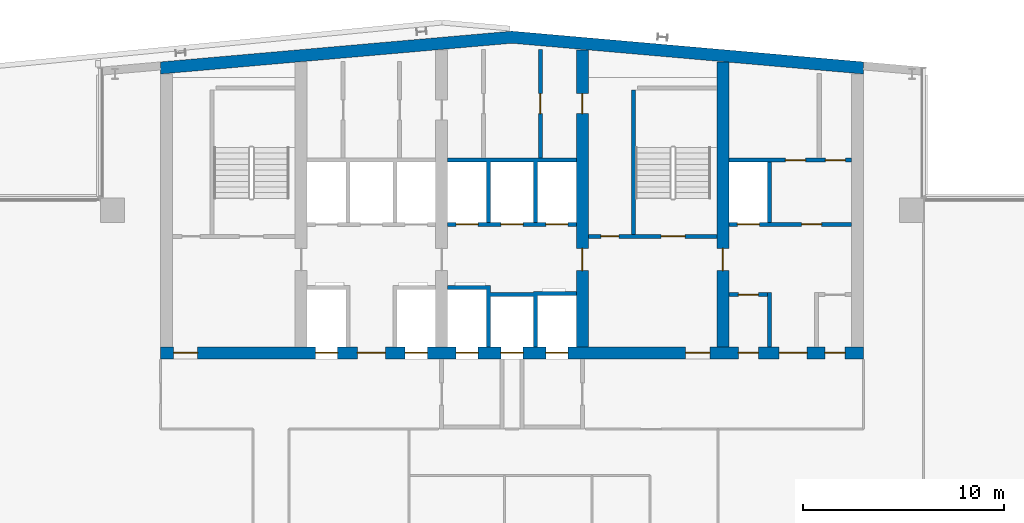
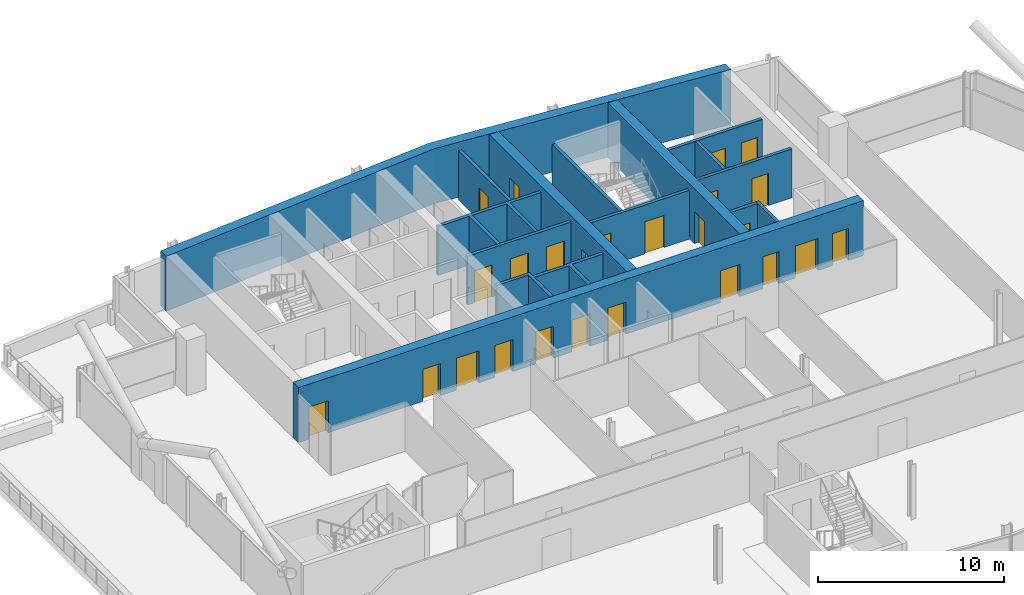
# One storey, part 17 of 27: 25 doors, 15 walls, 25 openings.
"""IFC4 building model written with IfcOpenShell, lengths in metres."""

from ifc_helpers import new_model, si_unit, direction, frame, frame_2d, origin, place, context, subcontext, project, spatial, polyline, rectangle, outline, extrude, material, layer, layer_set, type_object, element, fill, save


model = new_model("IFC4")

# Units and contexts
model_context = context("Model", 3, precision=1e-05, world=origin(), true_north=direction((0.0, 1.0)))
body_context = subcontext(model_context, "Body", "Model", "MODEL_VIEW")
ifc_project = project(units=[si_unit("LENGTHUNIT", "METRE"), si_unit("AREAUNIT", "SQUARE_METRE"), si_unit("VOLUMEUNIT", "CUBIC_METRE"), si_unit("PLANEANGLEUNIT", "RADIAN"), si_unit("MASSUNIT", "GRAM", prefix="KILO")], contexts=[model_context])

# Site, building, storey
site_placement = place(None, origin())
site = spatial("IfcSite", under=ifc_project, at=site_placement, CompositionType="ELEMENT")
building_placement = place(site_placement, origin())
building = spatial("IfcBuilding", under=site, at=building_placement, Name="Wharfspan Tower", CompositionType="ELEMENT")
storey_placement = place(building_placement, frame((0.0, 0.0, 207.100098)))
storey = spatial("IfcBuildingStorey", under=building, at=storey_placement, Name="L51", CompositionType="ELEMENT", Elevation=207.100098)

# Wall, opening, door
ifc_material_1 = material(Name="Calcium silicate masonry", Category="masonry")
ifc_layer_1 = layer(ifc_material_1, 0.199951)
ifc_layer_set_1 = layer_set([ifc_layer_1], Name="Calcium silicate masonry")
wall_type_1 = type_object("IfcWallType", Name="Core room wall 200", PredefinedType="PARTITIONING", material=ifc_layer_set_1)
wall_1_placement = place(storey_placement, frame((41.907959, 44.0, 0.0), z_axis=(0.0, 0.0, 1.0), x_axis=(0.0, 1.0, 0.0)))
wall_1 = element("IfcWall", 1, at=wall_1_placement, inside=storey, type_object=wall_type_1, Name="sw:L51:RP4.2", PredefinedType="PARTITIONING", context=body_context, shape_type="SweptSolid", body=[
    extrude(rectangle(XDim=5.41626, YDim=0.199951, at=frame_2d((2.708008, 0.0))), origin(), (0.0, 0.0, 1.0), 3.199951),
])
opening_1_placement = place(wall_1_placement, frame((2.208008, 0.0, 0.0)))
opening_1 = element("IfcOpeningElement", 2, at=opening_1_placement, cuts=wall_1, Name="Opening CD51.4P2", PredefinedType="OPENING", context=body_context, shape_type="SweptSolid", body=[
    extrude(rectangle(XDim=1.0, YDim=2.100098, at=frame_2d((0.5, 1.050049))), frame((0.0, 0.109863, 0.0), z_axis=(0.0, -1.0, 0.0), x_axis=(1.0, 0.0, 0.0)), (0.0, 0.0, 1.0), 0.219971),
])
ifc_material_2 = material(Name="Steel door leaf", Category="steel")
door_type_1 = type_object("IfcDoorType", Name="Core room door 1000x2100", OperationType="SINGLE_SWING_LEFT", PredefinedType="DOOR", material=ifc_material_2)
door_1_placement = place(opening_1_placement, origin())
door_1 = element("IfcDoor", 3, at=door_1_placement, inside=storey, type_object=door_type_1, Name="d:L51:4:rp2", OperationType="SINGLE_SWING_LEFT", OverallHeight=2.100098, OverallWidth=1.0, PredefinedType="DOOR", context=body_context, shape_type="SweptSolid", body=[
    extrude(rectangle(XDim=1.0, YDim=2.100098, at=frame_2d((0.5, 1.050049))), frame((0.0, 0.024902, 0.0), z_axis=(0.0, -1.0, 0.0), x_axis=(1.0, 0.0, 0.0)), (0.0, 0.0, 1.0), 0.050049),
])
fill(opening_1, door_1)

wall_2_placement = place(storey_placement, frame((51.300049, 37.199951, 0.0), z_axis=(0.0, 0.0, 1.0), x_axis=(1.0, 0.0, 0.0)))
wall_2 = element("IfcWall", 4, at=wall_2_placement, inside=storey, type_object=wall_type_1, Name="sw:L51:FR6.1", PredefinedType="PARTITIONING", context=body_context, shape_type="SweptSolid", body=[
    extrude(rectangle(XDim=1.93335, YDim=0.199951, at=frame_2d((0.966797, 0.0))), origin(), (0.0, 0.0, 1.0), 3.199951),
])
opening_2_placement = place(wall_2_placement, frame((0.466797, 0.0, 0.0)))
opening_2 = element("IfcOpeningElement", 5, at=opening_2_placement, cuts=wall_2, Name="Opening CD51.6H1", PredefinedType="OPENING", context=body_context, shape_type="SweptSolid", body=[
    extrude(rectangle(XDim=1.0, YDim=2.100098, at=frame_2d((0.5, 1.050049))), frame((0.0, 0.109863, 0.0), z_axis=(0.0, -1.0, 0.0), x_axis=(1.0, 0.0, 0.0)), (0.0, 0.0, 1.0), 0.219971),
])
door_2_placement = place(opening_2_placement, origin())
door_2 = element("IfcDoor", 6, at=door_2_placement, inside=storey, type_object=door_type_1, Name="d:L51:6:fh6.1", OperationType="SINGLE_SWING_RIGHT", OverallHeight=2.100098, OverallWidth=1.0, PredefinedType="DOOR", context=body_context, shape_type="SweptSolid", body=[
    extrude(rectangle(XDim=1.0, YDim=2.100098, at=frame_2d((0.5, 1.050049))), frame((0.0, 0.024902, 0.0), z_axis=(0.0, -1.0, 0.0), x_axis=(1.0, 0.0, 0.0)), (0.0, 0.0, 1.0), 0.050049),
])
fill(opening_2, door_2)

# Wall
ifc_material_3 = material(Name="Concrete C50/60", Category="concrete")
ifc_layer_2 = layer(ifc_material_3, 0.600098)
ifc_layer_set_2 = layer_set([ifc_layer_2], Name="Concrete C50/60")
wall_type_2 = type_object("IfcWallType", Name="Core wall 600 C50/60", PredefinedType="SHEAR", material=ifc_layer_set_2)
wall_3_placement = place(storey_placement, frame((0.0, 0.0, -0.000244)))
element("IfcWall", 7, at=wall_3_placement, inside=storey, type_object=wall_type_2, Name="Core rear wall L51", PredefinedType="SHEAR", context=body_context, shape_type="SweptSolid", body=[
    extrude(outline(polyline([(23.0, 48.185059), (40.5, 49.716064), (58.0, 48.185059), (58.0, 48.787354), (40.5, 50.318359), (23.0, 48.787354), (23.0, 48.185059)])), origin(), (0.0, 0.0, 1.0), 3.600098),
])

# Wall, openings, doors
wall_4_placement = place(storey_placement, frame((23.0, 34.300049, 0.0), z_axis=(0.0, 0.0, 1.0), x_axis=(1.0, 0.0, 0.0)))
wall_4 = element("IfcWall", 8, at=wall_4_placement, inside=storey, type_object=wall_type_2, Name="Core front wall L51", PredefinedType="SHEAR", context=body_context, shape_type="SweptSolid", body=[
    extrude(rectangle(XDim=35.0, YDim=0.600098, at=frame_2d((17.5, 0.0))), origin(), (0.0, 0.0, 1.0), 3.599854),
])
opening_3_placement = place(wall_4_placement, frame((0.649902, 0.0, 0.0)))
opening_3 = element("IfcOpeningElement", 9, at=opening_3_placement, cuts=wall_4, Name="Opening SV2.L51", PredefinedType="OPENING", context=body_context, shape_type="SweptSolid", body=[
    extrude(rectangle(XDim=1.199951, YDim=2.100098, at=frame_2d((0.600098, 1.050049))), frame((0.0, 0.310059, 0.0), z_axis=(0.0, -1.0, 0.0), x_axis=(1.0, 0.0, 0.0)), (0.0, 0.0, 1.0), 0.620117),
])
opening_4_placement = place(wall_4_placement, frame((7.716797, 0.0, 0.0)))
opening_4 = element("IfcOpeningElement", 10, at=opening_4_placement, cuts=wall_4, Name="Opening LD.SL1.L51", PredefinedType="OPENING", context=body_context, shape_type="SweptSolid", body=[
    extrude(rectangle(XDim=1.100098, YDim=2.100098, at=frame_2d((0.550049, 1.050049))), frame((0.0, 0.310059, 0.0), z_axis=(0.0, -1.0, 0.0), x_axis=(1.0, 0.0, 0.0)), (0.0, 0.0, 1.0), 0.620117),
])
opening_5_placement = place(wall_4_placement, frame((12.18335, 0.0, 0.0)))
opening_5 = element("IfcOpeningElement", 11, at=opening_5_placement, cuts=wall_4, Name="Opening LD.SL2.L51", PredefinedType="OPENING", context=body_context, shape_type="SweptSolid", body=[
    extrude(rectangle(XDim=1.100098, YDim=2.100098, at=frame_2d((0.550049, 1.050049))), frame((0.0, 0.310059, 0.0), z_axis=(0.0, -1.0, 0.0), x_axis=(1.0, 0.0, 0.0)), (0.0, 0.0, 1.0), 0.620117),
])
opening_6_placement = place(wall_4_placement, frame((9.800049, 0.0, 0.0)))
opening_6 = element("IfcOpeningElement", 12, at=opening_6_placement, cuts=wall_4, Name="Opening HD51.3", PredefinedType="OPENING", context=body_context, shape_type="SweptSolid", body=[
    extrude(rectangle(XDim=1.399902, YDim=2.100098, at=frame_2d((0.699951, 1.050049))), frame((0.0, 0.310059, 0.0), z_axis=(0.0, -1.0, 0.0), x_axis=(1.0, 0.0, 0.0)), (0.0, 0.0, 1.0), 0.620117),
])
opening_7_placement = place(wall_4_placement, frame((14.716797, 0.0, 0.0)))
opening_7 = element("IfcOpeningElement", 13, at=opening_7_placement, cuts=wall_4, Name="Opening LD.FF1.L51", PredefinedType="OPENING", context=body_context, shape_type="SweptSolid", body=[
    extrude(rectangle(XDim=1.100098, YDim=2.100098, at=frame_2d((0.550049, 1.050049))), frame((0.0, 0.310059, 0.0), z_axis=(0.0, -1.0, 0.0), x_axis=(1.0, 0.0, 0.0)), (0.0, 0.0, 1.0), 0.620117),
])
opening_8_placement = place(wall_4_placement, frame((16.949951, 0.0, 0.0)))
opening_8 = element("IfcOpeningElement", 14, at=opening_8_placement, cuts=wall_4, Name="Opening LD.LB7.L51", PredefinedType="OPENING", context=body_context, shape_type="SweptSolid", body=[
    extrude(rectangle(XDim=1.100098, YDim=2.100098, at=frame_2d((0.550049, 1.050049))), frame((0.0, 0.310059, 0.0), z_axis=(0.0, -1.0, 0.0), x_axis=(1.0, 0.0, 0.0)), (0.0, 0.0, 1.0), 0.620117),
])
opening_9_placement = place(wall_4_placement, frame((19.18335, 0.0, 0.0)))
opening_9 = element("IfcOpeningElement", 15, at=opening_9_placement, cuts=wall_4, Name="Opening LD.FF2.L51", PredefinedType="OPENING", context=body_context, shape_type="SweptSolid", body=[
    extrude(rectangle(XDim=1.100098, YDim=2.100098, at=frame_2d((0.550049, 1.050049))), frame((0.0, 0.310059, 0.0), z_axis=(0.0, -1.0, 0.0), x_axis=(1.0, 0.0, 0.0)), (0.0, 0.0, 1.0), 0.620117),
])
opening_10_placement = place(wall_4_placement, frame((26.149902, 0.0, 0.0)))
opening_10 = element("IfcOpeningElement", 16, at=opening_10_placement, cuts=wall_4, Name="Opening SV5.L51", PredefinedType="OPENING", context=body_context, shape_type="SweptSolid", body=[
    extrude(rectangle(XDim=1.199951, YDim=2.100098, at=frame_2d((0.600098, 1.050049))), frame((0.0, 0.310059, 0.0), z_axis=(0.0, -1.0, 0.0), x_axis=(1.0, 0.0, 0.0)), (0.0, 0.0, 1.0), 0.620117),
])
opening_11_placement = place(wall_4_placement, frame((28.766602, 0.0, 0.0)))
opening_11 = element("IfcOpeningElement", 17, at=opening_11_placement, cuts=wall_4, Name="Opening CD51.6F1", PredefinedType="OPENING", context=body_context, shape_type="SweptSolid", body=[
    extrude(rectangle(XDim=1.0, YDim=2.100098, at=frame_2d((0.5, 1.050049))), frame((0.0, 0.310059, 0.0), z_axis=(0.0, -1.0, 0.0), x_axis=(1.0, 0.0, 0.0)), (0.0, 0.0, 1.0), 0.620117),
])
opening_12_placement = place(wall_4_placement, frame((33.083252, 0.0, 0.0)))
opening_12 = element("IfcOpeningElement", 18, at=opening_12_placement, cuts=wall_4, Name="Opening CD51.6F3", PredefinedType="OPENING", context=body_context, shape_type="SweptSolid", body=[
    extrude(rectangle(XDim=1.0, YDim=2.100098, at=frame_2d((0.5, 1.050049))), frame((0.0, 0.310059, 0.0), z_axis=(0.0, -1.0, 0.0), x_axis=(1.0, 0.0, 0.0)), (0.0, 0.0, 1.0), 0.620117),
])
opening_13_placement = place(wall_4_placement, frame((30.800049, 0.0, 0.0)))
opening_13 = element("IfcOpeningElement", 19, at=opening_13_placement, cuts=wall_4, Name="Opening HD51.6", PredefinedType="OPENING", context=body_context, shape_type="SweptSolid", body=[
    extrude(rectangle(XDim=1.399902, YDim=2.100098, at=frame_2d((0.699951, 1.050049))), frame((0.0, 0.310059, 0.0), z_axis=(0.0, -1.0, 0.0), x_axis=(1.0, 0.0, 0.0)), (0.0, 0.0, 1.0), 0.620117),
])
door_3_placement = place(opening_11_placement, origin())
door_3 = element("IfcDoor", 20, at=door_3_placement, inside=storey, type_object=door_type_1, Name="d:L51:6:fd6.1", OperationType="SINGLE_SWING_LEFT", OverallHeight=2.100098, OverallWidth=1.0, PredefinedType="DOOR", context=body_context, shape_type="SweptSolid", body=[
    extrude(rectangle(XDim=1.0, YDim=2.100098, at=frame_2d((0.5, 1.050049))), frame((0.0, 0.024902, 0.0), z_axis=(0.0, -1.0, 0.0), x_axis=(1.0, 0.0, 0.0)), (0.0, 0.0, 1.0), 0.050049),
])
fill(opening_11, door_3)
door_4_placement = place(opening_12_placement, origin())
door_4 = element("IfcDoor", 21, at=door_4_placement, inside=storey, type_object=door_type_1, Name="d:L51:6:fd6.3", OperationType="SINGLE_SWING_LEFT", OverallHeight=2.100098, OverallWidth=1.0, PredefinedType="DOOR", context=body_context, shape_type="SweptSolid", body=[
    extrude(rectangle(XDim=1.0, YDim=2.100098, at=frame_2d((0.5, 1.050049))), frame((0.0, 0.024902, 0.0), z_axis=(0.0, -1.0, 0.0), x_axis=(1.0, 0.0, 0.0)), (0.0, 0.0, 1.0), 0.050049),
])
fill(opening_12, door_4)
door_type_2 = type_object("IfcDoorType", Name="Hall entry door 1400x2100", OperationType="DOUBLE_DOOR_SINGLE_SWING", PredefinedType="DOOR", material=ifc_material_2)
door_5_placement = place(opening_6_placement, origin())
door_5 = element("IfcDoor", 22, at=door_5_placement, inside=storey, type_object=door_type_2, Name="d:L51:3:hd3", OperationType="DOUBLE_DOOR_SINGLE_SWING", OverallHeight=2.100098, OverallWidth=1.399902, PredefinedType="DOOR", context=body_context, shape_type="SweptSolid", body=[
    extrude(rectangle(XDim=1.399902, YDim=2.100098, at=frame_2d((0.699951, 1.050049))), frame((0.0, 0.024902, 0.0), z_axis=(0.0, -1.0, 0.0), x_axis=(1.0, 0.0, 0.0)), (0.0, 0.0, 1.0), 0.050049),
])
fill(opening_6, door_5)
door_6_placement = place(opening_13_placement, origin())
door_6 = element("IfcDoor", 23, at=door_6_placement, inside=storey, type_object=door_type_2, Name="d:L51:6:hd6", OperationType="DOUBLE_DOOR_SINGLE_SWING", OverallHeight=2.100098, OverallWidth=1.399902, PredefinedType="DOOR", context=body_context, shape_type="SweptSolid", body=[
    extrude(rectangle(XDim=1.399902, YDim=2.100098, at=frame_2d((0.699951, 1.050049))), frame((0.0, 0.024902, 0.0), z_axis=(0.0, -1.0, 0.0), x_axis=(1.0, 0.0, 0.0)), (0.0, 0.0, 1.0), 0.050049),
])
fill(opening_13, door_6)
ifc_material_4 = material(Name="Stainless steel", Category="steel")
door_type_3 = type_object("IfcDoorType", Name="Lift landing door 1100x2100", OperationType="DOUBLE_DOOR_SLIDING", PredefinedType="DOOR", material=ifc_material_4)
door_7_placement = place(opening_4_placement, origin())
door_7 = element("IfcDoor", 24, at=door_7_placement, inside=storey, type_object=door_type_3, Name="Landing door SL1 L51", OperationType="DOUBLE_DOOR_SLIDING", OverallHeight=2.100098, OverallWidth=1.100098, PredefinedType="DOOR", context=body_context, shape_type="SweptSolid", body=[
    extrude(rectangle(XDim=1.100098, YDim=2.100098, at=frame_2d((0.550049, 1.050049))), frame((0.0, 0.024902, 0.0), z_axis=(0.0, -1.0, 0.0), x_axis=(1.0, 0.0, 0.0)), (0.0, 0.0, 1.0), 0.050049),
])
fill(opening_4, door_7)
door_8_placement = place(opening_5_placement, origin())
door_8 = element("IfcDoor", 25, at=door_8_placement, inside=storey, type_object=door_type_3, Name="Landing door SL2 L51", OperationType="DOUBLE_DOOR_SLIDING", OverallHeight=2.100098, OverallWidth=1.100098, PredefinedType="DOOR", context=body_context, shape_type="SweptSolid", body=[
    extrude(rectangle(XDim=1.100098, YDim=2.100098, at=frame_2d((0.550049, 1.050049))), frame((0.0, 0.024902, 0.0), z_axis=(0.0, -1.0, 0.0), x_axis=(1.0, 0.0, 0.0)), (0.0, 0.0, 1.0), 0.050049),
])
fill(opening_5, door_8)
door_9_placement = place(opening_7_placement, origin())
door_9 = element("IfcDoor", 26, at=door_9_placement, inside=storey, type_object=door_type_3, Name="Landing door FF1 L51", OperationType="DOUBLE_DOOR_SLIDING", OverallHeight=2.100098, OverallWidth=1.100098, PredefinedType="DOOR", context=body_context, shape_type="SweptSolid", body=[
    extrude(rectangle(XDim=1.100098, YDim=2.100098, at=frame_2d((0.550049, 1.050049))), frame((0.0, 0.024902, 0.0), z_axis=(0.0, -1.0, 0.0), x_axis=(1.0, 0.0, 0.0)), (0.0, 0.0, 1.0), 0.050049),
])
fill(opening_7, door_9)
door_10_placement = place(opening_8_placement, origin())
door_10 = element("IfcDoor", 27, at=door_10_placement, inside=storey, type_object=door_type_3, Name="Landing door LB7 L51", OperationType="DOUBLE_DOOR_SLIDING", OverallHeight=2.100098, OverallWidth=1.100098, PredefinedType="DOOR", context=body_context, shape_type="SweptSolid", body=[
    extrude(rectangle(XDim=1.100098, YDim=2.100098, at=frame_2d((0.550049, 1.050049))), frame((0.0, 0.024902, 0.0), z_axis=(0.0, -1.0, 0.0), x_axis=(1.0, 0.0, 0.0)), (0.0, 0.0, 1.0), 0.050049),
])
fill(opening_8, door_10)
door_11_placement = place(opening_9_placement, origin())
door_11 = element("IfcDoor", 28, at=door_11_placement, inside=storey, type_object=door_type_3, Name="Landing door FF2 L51", OperationType="DOUBLE_DOOR_SLIDING", OverallHeight=2.100098, OverallWidth=1.100098, PredefinedType="DOOR", context=body_context, shape_type="SweptSolid", body=[
    extrude(rectangle(XDim=1.100098, YDim=2.100098, at=frame_2d((0.550049, 1.050049))), frame((0.0, 0.024902, 0.0), z_axis=(0.0, -1.0, 0.0), x_axis=(1.0, 0.0, 0.0)), (0.0, 0.0, 1.0), 0.050049),
])
fill(opening_9, door_11)
door_type_4 = type_object("IfcDoorType", Name="Stair door 1200x2100", OperationType="SINGLE_SWING_LEFT", PredefinedType="DOOR", material=ifc_material_2)
door_12_placement = place(opening_3_placement, origin())
door_12 = element("IfcDoor", 29, at=door_12_placement, inside=storey, type_object=door_type_4, Name="vd:L51:2", OperationType="SINGLE_SWING_LEFT", OverallHeight=2.100098, OverallWidth=1.199951, PredefinedType="DOOR", context=body_context, shape_type="SweptSolid", body=[
    extrude(rectangle(XDim=1.199951, YDim=2.100098, at=frame_2d((0.600098, 1.050049))), frame((0.0, 0.024902, 0.0), z_axis=(0.0, -1.0, 0.0), x_axis=(1.0, 0.0, 0.0)), (0.0, 0.0, 1.0), 0.050049),
])
fill(opening_3, door_12)
door_13_placement = place(opening_10_placement, origin())
door_13 = element("IfcDoor", 30, at=door_13_placement, inside=storey, type_object=door_type_4, Name="vd:L51:5", OperationType="SINGLE_SWING_LEFT", OverallHeight=2.100098, OverallWidth=1.199951, PredefinedType="DOOR", context=body_context, shape_type="SweptSolid", body=[
    extrude(rectangle(XDim=1.199951, YDim=2.100098, at=frame_2d((0.600098, 1.050049))), frame((0.0, 0.024902, 0.0), z_axis=(0.0, -1.0, 0.0), x_axis=(1.0, 0.0, 0.0)), (0.0, 0.0, 1.0), 0.050049),
])
fill(opening_10, door_13)

wall_5_placement = place(storey_placement, frame((44.0, 34.600098, 0.0), z_axis=(0.0, 0.0, 1.0), x_axis=(0.0, 1.0, 0.0)))
wall_5 = element("IfcWall", 31, at=wall_5_placement, inside=storey, type_object=wall_type_2, Name="Core cross wall X5 L51", PredefinedType="SHEAR", context=body_context, shape_type="SweptSolid", body=[
    extrude(rectangle(XDim=14.783691, YDim=0.600098, at=frame_2d((7.391846, 0.0))), origin(), (0.0, 0.0, 1.0), 3.599854),
])
opening_14_placement = place(wall_5_placement, frame((11.608154, 0.0, 0.0)))
opening_14 = element("IfcOpeningElement", 32, at=opening_14_placement, cuts=wall_5, Name="Opening CD51.4X", PredefinedType="OPENING", context=body_context, shape_type="SweptSolid", body=[
    extrude(rectangle(XDim=1.0, YDim=2.100098, at=frame_2d((0.5, 1.050049))), frame((0.0, 0.310059, 0.0), z_axis=(0.0, -1.0, 0.0), x_axis=(1.0, 0.0, 0.0)), (0.0, 0.0, 1.0), 0.620117),
])
opening_15_placement = place(wall_5_placement, frame((3.800049, 0.0, 0.0)))
opening_15 = element("IfcOpeningElement", 33, at=opening_15_placement, cuts=wall_5, Name="Opening CC51.5", PredefinedType="OPENING", context=body_context, shape_type="SweptSolid", body=[
    extrude(rectangle(XDim=1.100098, YDim=2.100098, at=frame_2d((0.550049, 1.050049))), frame((0.0, 0.310059, 0.0), z_axis=(0.0, -1.0, 0.0), x_axis=(1.0, 0.0, 0.0)), (0.0, 0.0, 1.0), 0.620117),
])
door_type_5 = type_object("IfcDoorType", Name="Core corridor door 1100x2100", OperationType="SINGLE_SWING_LEFT", PredefinedType="DOOR", material=ifc_material_2)
door_14_placement = place(opening_15_placement, origin())
door_14 = element("IfcDoor", 34, at=door_14_placement, inside=storey, type_object=door_type_5, Name="xd:L51:5", OperationType="SINGLE_SWING_LEFT", OverallHeight=2.100098, OverallWidth=1.100098, PredefinedType="DOOR", context=body_context, shape_type="SweptSolid", body=[
    extrude(rectangle(XDim=1.100098, YDim=2.100098, at=frame_2d((0.550049, 1.050049))), frame((0.0, 0.024902, 0.0), z_axis=(0.0, -1.0, 0.0), x_axis=(1.0, 0.0, 0.0)), (0.0, 0.0, 1.0), 0.050049),
])
fill(opening_15, door_14)
door_15_placement = place(opening_14_placement, origin())
door_15 = element("IfcDoor", 35, at=door_15_placement, inside=storey, type_object=door_type_1, Name="d:L51:4:sx", OperationType="SINGLE_SWING_LEFT", OverallHeight=2.100098, OverallWidth=1.0, PredefinedType="DOOR", context=body_context, shape_type="SweptSolid", body=[
    extrude(rectangle(XDim=1.0, YDim=2.100098, at=frame_2d((0.5, 1.050049))), frame((0.0, 0.024902, 0.0), z_axis=(0.0, -1.0, 0.0), x_axis=(1.0, 0.0, 0.0)), (0.0, 0.0, 1.0), 0.050049),
])
fill(opening_14, door_15)

# Wall, opening, door
wall_6_placement = place(storey_placement, frame((51.0, 34.600098, 0.0), z_axis=(0.0, 0.0, 1.0), x_axis=(0.0, 1.0, 0.0)))
wall_6 = element("IfcWall", 36, at=wall_6_placement, inside=storey, type_object=wall_type_2, Name="Core cross wall X6 L51", PredefinedType="SHEAR", context=body_context, shape_type="SweptSolid", body=[
    extrude(rectangle(XDim=14.171143, YDim=0.600098, at=frame_2d((7.085449, 0.0))), origin(), (0.0, 0.0, 1.0), 3.599854),
])
opening_16_placement = place(wall_6_placement, frame((3.800049, 0.0, 0.0)))
opening_16 = element("IfcOpeningElement", 37, at=opening_16_placement, cuts=wall_6, Name="Opening CC51.6", PredefinedType="OPENING", context=body_context, shape_type="SweptSolid", body=[
    extrude(rectangle(XDim=1.100098, YDim=2.100098, at=frame_2d((0.550049, 1.050049))), frame((0.0, 0.310059, 0.0), z_axis=(0.0, -1.0, 0.0), x_axis=(1.0, 0.0, 0.0)), (0.0, 0.0, 1.0), 0.620117),
])
door_16_placement = place(opening_16_placement, origin())
door_16 = element("IfcDoor", 38, at=door_16_placement, inside=storey, type_object=door_type_5, Name="xd:L51:6", OperationType="SINGLE_SWING_RIGHT", OverallHeight=2.100098, OverallWidth=1.100098, PredefinedType="DOOR", context=body_context, shape_type="SweptSolid", body=[
    extrude(rectangle(XDim=1.100098, YDim=2.100098, at=frame_2d((0.550049, 1.050049))), frame((0.0, 0.024902, 0.0), z_axis=(0.0, -1.0, 0.0), x_axis=(1.0, 0.0, 0.0)), (0.0, 0.0, 1.0), 0.050049),
])
fill(opening_16, door_16)

# Wall, openings, doors
ifc_material_5 = material(Name="Concrete C30/37", Category="concrete")
ifc_layer_3 = layer(ifc_material_5, 0.199951)
ifc_layer_set_3 = layer_set([ifc_layer_3], Name="Concrete C30/37")
wall_type_3 = type_object("IfcWallType", Name="Lift shaft wall 200", PredefinedType="PARTITIONING", material=ifc_layer_set_3)
wall_7_placement = place(storey_placement, frame((37.300049, 40.699951, 0.0), z_axis=(0.0, 0.0, 1.0), x_axis=(1.0, 0.0, 0.0)))
wall_7 = element("IfcWall", 39, at=wall_7_placement, inside=storey, type_object=wall_type_3, Name="sw:L51:RF4", PredefinedType="PARTITIONING", context=body_context, shape_type="SweptSolid", body=[
    extrude(rectangle(XDim=6.399902, YDim=0.199951, at=frame_2d((3.199951, 0.0))), origin(), (0.0, 0.0, 1.0), 3.199951),
])
opening_17_placement = place(wall_7_placement, frame((0.416748, 0.0, 0.0)))
opening_17 = element("IfcOpeningElement", 40, at=opening_17_placement, cuts=wall_7, Name="Opening LD.LB4.L51", PredefinedType="OPENING", context=body_context, shape_type="SweptSolid", body=[
    extrude(rectangle(XDim=1.100098, YDim=2.100098, at=frame_2d((0.550049, 1.050049))), frame((0.0, 0.109863, 0.0), z_axis=(0.0, -1.0, 0.0), x_axis=(1.0, 0.0, 0.0)), (0.0, 0.0, 1.0), 0.219971),
])
opening_18_placement = place(wall_7_placement, frame((2.649902, 0.0, 0.0)))
opening_18 = element("IfcOpeningElement", 41, at=opening_18_placement, cuts=wall_7, Name="Opening LD.LB5.L51", PredefinedType="OPENING", context=body_context, shape_type="SweptSolid", body=[
    extrude(rectangle(XDim=1.100098, YDim=2.100098, at=frame_2d((0.550049, 1.050049))), frame((0.0, 0.109863, 0.0), z_axis=(0.0, -1.0, 0.0), x_axis=(1.0, 0.0, 0.0)), (0.0, 0.0, 1.0), 0.219971),
])
opening_19_placement = place(wall_7_placement, frame((4.883301, 0.0, 0.0)))
opening_19 = element("IfcOpeningElement", 42, at=opening_19_placement, cuts=wall_7, Name="Opening LD.LB6.L51", PredefinedType="OPENING", context=body_context, shape_type="SweptSolid", body=[
    extrude(rectangle(XDim=1.100098, YDim=2.100098, at=frame_2d((0.550049, 1.050049))), frame((0.0, 0.109863, 0.0), z_axis=(0.0, -1.0, 0.0), x_axis=(1.0, 0.0, 0.0)), (0.0, 0.0, 1.0), 0.219971),
])
door_17_placement = place(opening_17_placement, origin())
door_17 = element("IfcDoor", 43, at=door_17_placement, inside=storey, type_object=door_type_3, Name="Landing door LB4 L51", OperationType="DOUBLE_DOOR_SLIDING", OverallHeight=2.100098, OverallWidth=1.100098, PredefinedType="DOOR", context=body_context, shape_type="SweptSolid", body=[
    extrude(rectangle(XDim=1.100098, YDim=2.100098, at=frame_2d((0.550049, 1.050049))), frame((0.0, 0.024902, 0.0), z_axis=(0.0, -1.0, 0.0), x_axis=(1.0, 0.0, 0.0)), (0.0, 0.0, 1.0), 0.050049),
])
fill(opening_17, door_17)
door_18_placement = place(opening_18_placement, origin())
door_18 = element("IfcDoor", 44, at=door_18_placement, inside=storey, type_object=door_type_3, Name="Landing door LB5 L51", OperationType="DOUBLE_DOOR_SLIDING", OverallHeight=2.100098, OverallWidth=1.100098, PredefinedType="DOOR", context=body_context, shape_type="SweptSolid", body=[
    extrude(rectangle(XDim=1.100098, YDim=2.100098, at=frame_2d((0.550049, 1.050049))), frame((0.0, 0.024902, 0.0), z_axis=(0.0, -1.0, 0.0), x_axis=(1.0, 0.0, 0.0)), (0.0, 0.0, 1.0), 0.050049),
])
fill(opening_18, door_18)
door_19_placement = place(opening_19_placement, origin())
door_19 = element("IfcDoor", 45, at=door_19_placement, inside=storey, type_object=door_type_3, Name="Landing door LB6 L51", OperationType="DOUBLE_DOOR_SLIDING", OverallHeight=2.100098, OverallWidth=1.100098, PredefinedType="DOOR", context=body_context, shape_type="SweptSolid", body=[
    extrude(rectangle(XDim=1.100098, YDim=2.100098, at=frame_2d((0.550049, 1.050049))), frame((0.0, 0.024902, 0.0), z_axis=(0.0, -1.0, 0.0), x_axis=(1.0, 0.0, 0.0)), (0.0, 0.0, 1.0), 0.050049),
])
fill(opening_19, door_19)

# Walls
wall_8_placement = place(storey_placement, frame((0.0, 0.0, -0.000244)))
element("IfcWall", 46, at=wall_8_placement, inside=storey, type_object=wall_type_3, Name="sw:L51:FM4.0", PredefinedType="PARTITIONING", context=body_context, shape_type="SweptSolid", body=[
    extrude(outline(polyline([(41.56665, 37.100098), (39.43335, 37.100098), (39.43335, 34.600098), (39.233398, 34.600098), (39.233398, 37.449951), (37.300049, 37.449951), (37.300049, 37.649902), (39.233398, 37.649902), (39.43335, 37.649902), (39.43335, 37.300049), (41.56665, 37.300049), (41.56665, 37.350098), (41.766602, 37.350098), (43.699951, 37.350098), (43.699951, 37.149902), (41.766602, 37.149902), (41.766602, 34.600098), (41.56665, 34.600098), (41.56665, 37.100098)])), origin(), (0.0, 0.0, 1.0), 3.200195),
])
wall_9_placement = place(storey_placement, frame((0.0, 0.0, -0.000244)))
element("IfcWall", 47, at=wall_9_placement, inside=storey, type_object=wall_type_3, Name="sw:L51:RM4.0", PredefinedType="PARTITIONING", context=body_context, shape_type="SweptSolid", body=[
    extrude(outline(polyline([(39.43335, 40.800049), (39.233398, 40.800049), (39.233398, 43.800049), (37.300049, 43.800049), (37.300049, 44.0), (43.699951, 44.0), (43.699951, 43.800049), (41.766602, 43.800049), (41.766602, 40.800049), (41.56665, 40.800049), (41.56665, 43.800049), (39.43335, 43.800049), (39.43335, 40.800049)])), origin(), (0.0, 0.0, 1.0), 3.200195),
])

# Wall, openings, doors
wall_10_placement = place(storey_placement, frame((51.300049, 40.699951, 0.0), z_axis=(0.0, 0.0, 1.0), x_axis=(1.0, 0.0, 0.0)))
wall_10 = element("IfcWall", 48, at=wall_10_placement, inside=storey, type_object=wall_type_3, Name="sw:L51:RF6", PredefinedType="PARTITIONING", context=body_context, shape_type="SweptSolid", body=[
    extrude(rectangle(XDim=6.099854, YDim=0.199951, at=frame_2d((3.049805, 0.0))), origin(), (0.0, 0.0, 1.0), 3.199951),
])
opening_20_placement = place(wall_10_placement, frame((0.416748, 0.0, 0.0)))
opening_20 = element("IfcOpeningElement", 49, at=opening_20_placement, cuts=wall_10, Name="Opening LD.LB8.L51", PredefinedType="OPENING", context=body_context, shape_type="SweptSolid", body=[
    extrude(rectangle(XDim=1.100098, YDim=2.100098, at=frame_2d((0.550049, 1.050049))), frame((0.0, 0.109863, 0.0), z_axis=(0.0, -1.0, 0.0), x_axis=(1.0, 0.0, 0.0)), (0.0, 0.0, 1.0), 0.219971),
])
opening_21_placement = place(wall_10_placement, frame((3.616699, 0.0, 0.0)))
opening_21 = element("IfcOpeningElement", 50, at=opening_21_placement, cuts=wall_10, Name="Opening CD51.6R2", PredefinedType="OPENING", context=body_context, shape_type="SweptSolid", body=[
    extrude(rectangle(XDim=1.0, YDim=2.100098, at=frame_2d((0.5, 1.050049))), frame((0.0, 0.109863, 0.0), z_axis=(0.0, -1.0, 0.0), x_axis=(1.0, 0.0, 0.0)), (0.0, 0.0, 1.0), 0.219971),
])
door_20_placement = place(opening_21_placement, origin())
door_20 = element("IfcDoor", 51, at=door_20_placement, inside=storey, type_object=door_type_1, Name="d:L51:6:rd6.2", OperationType="SINGLE_SWING_RIGHT", OverallHeight=2.100098, OverallWidth=1.0, PredefinedType="DOOR", context=body_context, shape_type="SweptSolid", body=[
    extrude(rectangle(XDim=1.0, YDim=2.100098, at=frame_2d((0.5, 1.050049))), frame((0.0, 0.024902, 0.0), z_axis=(0.0, -1.0, 0.0), x_axis=(1.0, 0.0, 0.0)), (0.0, 0.0, 1.0), 0.050049),
])
fill(opening_21, door_20)
door_21_placement = place(opening_20_placement, origin())
door_21 = element("IfcDoor", 52, at=door_21_placement, inside=storey, type_object=door_type_3, Name="Landing door LB8 L51", OperationType="DOUBLE_DOOR_SLIDING", OverallHeight=2.100098, OverallWidth=1.100098, PredefinedType="DOOR", context=body_context, shape_type="SweptSolid", body=[
    extrude(rectangle(XDim=1.100098, YDim=2.100098, at=frame_2d((0.550049, 1.050049))), frame((0.0, 0.024902, 0.0), z_axis=(0.0, -1.0, 0.0), x_axis=(1.0, 0.0, 0.0)), (0.0, 0.0, 1.0), 0.050049),
])
fill(opening_20, door_21)

wall_11_placement = place(storey_placement, frame((51.300049, 43.899902, 0.0), z_axis=(0.0, 0.0, 1.0), x_axis=(1.0, 0.0, 0.0)))
wall_11 = element("IfcWall", 53, at=wall_11_placement, inside=storey, type_object=wall_type_3, Name="sw:L51:RR6", PredefinedType="PARTITIONING", context=body_context, shape_type="SweptSolid", body=[
    extrude(rectangle(XDim=6.099854, YDim=0.199951, at=frame_2d((3.049805, 0.0))), origin(), (0.0, 0.0, 1.0), 3.199951),
])
opening_22_placement = place(wall_11_placement, frame((2.81665, 0.0, 0.0)))
opening_22 = element("IfcOpeningElement", 54, at=opening_22_placement, cuts=wall_11, Name="Opening CD51.6S2", PredefinedType="OPENING", context=body_context, shape_type="SweptSolid", body=[
    extrude(rectangle(XDim=1.0, YDim=2.100098, at=frame_2d((0.5, 1.050049))), frame((0.0, 0.109863, 0.0), z_axis=(0.0, -1.0, 0.0), x_axis=(1.0, 0.0, 0.0)), (0.0, 0.0, 1.0), 0.219971),
])
opening_23_placement = place(wall_11_placement, frame((4.800049, 0.0, 0.0)))
opening_23 = element("IfcOpeningElement", 55, at=opening_23_placement, cuts=wall_11, Name="Opening CD51.6S2a", PredefinedType="OPENING", context=body_context, shape_type="SweptSolid", body=[
    extrude(rectangle(XDim=1.0, YDim=2.100098, at=frame_2d((0.5, 1.050049))), frame((0.0, 0.109863, 0.0), z_axis=(0.0, -1.0, 0.0), x_axis=(1.0, 0.0, 0.0)), (0.0, 0.0, 1.0), 0.219971),
])
door_22_placement = place(opening_22_placement, origin())
door_22 = element("IfcDoor", 56, at=door_22_placement, inside=storey, type_object=door_type_1, Name="d:L51:6:rs6.2", OperationType="SINGLE_SWING_LEFT", OverallHeight=2.100098, OverallWidth=1.0, PredefinedType="DOOR", context=body_context, shape_type="SweptSolid", body=[
    extrude(rectangle(XDim=1.0, YDim=2.100098, at=frame_2d((0.5, 1.050049))), frame((0.0, 0.024902, 0.0), z_axis=(0.0, -1.0, 0.0), x_axis=(1.0, 0.0, 0.0)), (0.0, 0.0, 1.0), 0.050049),
])
fill(opening_22, door_22)
door_23_placement = place(opening_23_placement, origin())
door_23 = element("IfcDoor", 57, at=door_23_placement, inside=storey, type_object=door_type_1, Name="d:L51:6:rs6.2a", OperationType="SINGLE_SWING_LEFT", OverallHeight=2.100098, OverallWidth=1.0, PredefinedType="DOOR", context=body_context, shape_type="SweptSolid", body=[
    extrude(rectangle(XDim=1.0, YDim=2.100098, at=frame_2d((0.5, 1.050049))), frame((0.0, 0.024902, 0.0), z_axis=(0.0, -1.0, 0.0), x_axis=(1.0, 0.0, 0.0)), (0.0, 0.0, 1.0), 0.050049),
])
fill(opening_23, door_23)

# Walls
wall_12_placement = place(storey_placement, frame((0.0, 0.0, -0.000244)))
element("IfcWall", 58, at=wall_12_placement, inside=storey, type_object=wall_type_3, Name="sw:L51:FM6.0", PredefinedType="PARTITIONING", context=body_context, shape_type="SweptSolid", body=[
    extrude(outline(polyline([(53.233398, 34.600098), (53.233398, 37.300049), (53.43335, 37.300049), (53.43335, 34.600098), (53.233398, 34.600098)])), origin(), (0.0, 0.0, 1.0), 3.200195),
])
wall_13_placement = place(storey_placement, frame((0.0, 0.0, -0.000244)))
element("IfcWall", 59, at=wall_13_placement, inside=storey, type_object=wall_type_3, Name="sw:L51:RM6.0", PredefinedType="PARTITIONING", context=body_context, shape_type="SweptSolid", body=[
    extrude(outline(polyline([(53.43335, 40.800049), (53.43335, 43.800049), (53.233398, 43.800049), (53.233398, 40.800049), (53.43335, 40.800049)])), origin(), (0.0, 0.0, 1.0), 3.200195),
])

# Wall, openings, doors
ifc_material_6 = material(Name="Concrete C40/50", Category="concrete")
ifc_layer_4 = layer(ifc_material_6, 0.199951)
ifc_layer_set_4 = layer_set([ifc_layer_4], Name="Concrete C40/50")
wall_type_4 = type_object("IfcWallType", Name="Stair shaft wall 200", PredefinedType="SHEAR", material=ifc_layer_set_4)
wall_14_placement = place(storey_placement, frame((44.300049, 40.100098, 0.0), z_axis=(0.0, 0.0, 1.0), x_axis=(1.0, 0.0, 0.0)))
wall_14 = element("IfcWall", 60, at=wall_14_placement, inside=storey, type_object=wall_type_4, Name="ST2 stair enclosure wall L51", PredefinedType="SHEAR", context=body_context, shape_type="SweptSolid", body=[
    extrude(rectangle(XDim=6.399902, YDim=0.199951, at=frame_2d((3.199951, 0.0))), origin(), (0.0, 0.0, 1.0), 3.199951),
])
opening_24_placement = place(wall_14_placement, frame((3.625, 0.0, 0.0)))
opening_24 = element("IfcOpeningElement", 61, at=opening_24_placement, cuts=wall_14, Name="Opening SD5.L51", PredefinedType="OPENING", context=body_context, shape_type="SweptSolid", body=[
    extrude(rectangle(XDim=1.199951, YDim=2.100098, at=frame_2d((0.600098, 1.050049))), frame((0.0, 0.109863, 0.0), z_axis=(0.0, -1.0, 0.0), x_axis=(1.0, 0.0, 0.0)), (0.0, 0.0, 1.0), 0.219971),
])
opening_25_placement = place(wall_14_placement, frame((0.625, 0.0, 0.0)))
opening_25 = element("IfcOpeningElement", 62, at=opening_25_placement, cuts=wall_14, Name="Opening CD51.5R", PredefinedType="OPENING", context=body_context, shape_type="SweptSolid", body=[
    extrude(rectangle(XDim=0.899902, YDim=2.100098, at=frame_2d((0.449951, 1.050049))), frame((0.0, 0.109863, 0.0), z_axis=(0.0, -1.0, 0.0), x_axis=(1.0, 0.0, 0.0)), (0.0, 0.0, 1.0), 0.219971),
])
door_24_placement = place(opening_25_placement, origin())
door_24 = element("IfcDoor", 63, at=door_24_placement, inside=storey, type_object=door_type_1, Name="rk:L51:5", OperationType="SINGLE_SWING_LEFT", OverallHeight=2.100098, OverallWidth=0.899902, PredefinedType="DOOR", context=body_context, shape_type="SweptSolid", body=[
    extrude(rectangle(XDim=0.899902, YDim=2.100098, at=frame_2d((0.449951, 1.050049))), frame((0.0, 0.024902, 0.0), z_axis=(0.0, -1.0, 0.0), x_axis=(1.0, 0.0, 0.0)), (0.0, 0.0, 1.0), 0.050049),
])
fill(opening_25, door_24)
door_25_placement = place(opening_24_placement, origin())
door_25 = element("IfcDoor", 64, at=door_25_placement, inside=storey, type_object=door_type_4, Name="sd:L51:5", OperationType="SINGLE_SWING_RIGHT", OverallHeight=2.100098, OverallWidth=1.199951, PredefinedType="DOOR", context=body_context, shape_type="SweptSolid", body=[
    extrude(rectangle(XDim=1.199951, YDim=2.100098, at=frame_2d((0.600098, 1.050049))), frame((0.0, 0.024902, 0.0), z_axis=(0.0, -1.0, 0.0), x_axis=(1.0, 0.0, 0.0)), (0.0, 0.0, 1.0), 0.050049),
])
fill(opening_24, door_25)

# Wall
wall_15_placement = place(storey_placement, frame((46.550049, 40.199951, 0.0), z_axis=(0.0, 0.0, 1.0), x_axis=(0.0, 1.0, 0.0)))
element("IfcWall", 65, at=wall_15_placement, inside=storey, type_object=wall_type_4, Name="ST2 stair enclosure wall L51", PredefinedType="SHEAR", context=body_context, shape_type="SweptSolid", body=[
    extrude(rectangle(XDim=7.199951, YDim=0.199951, at=frame_2d((3.600098, 0.0))), origin(), (0.0, 0.0, 1.0), 3.199951),
])

save(model, "model.ifc")
